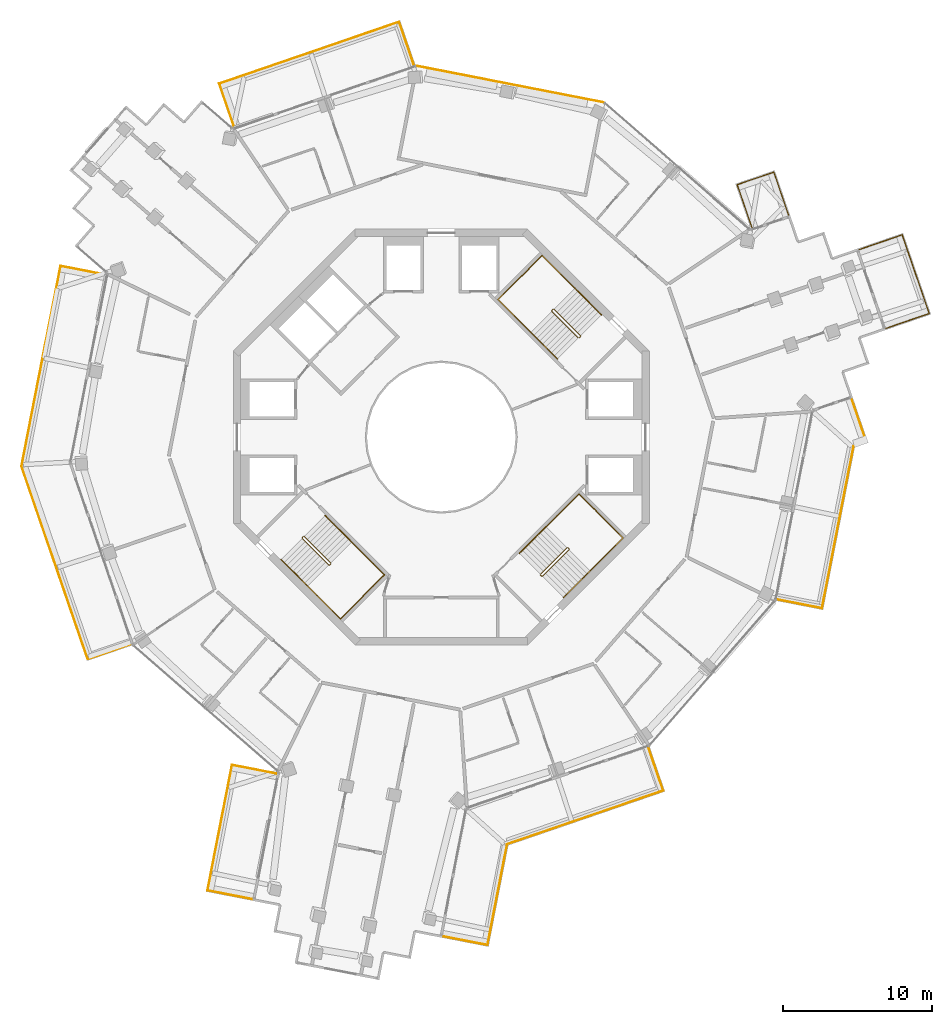
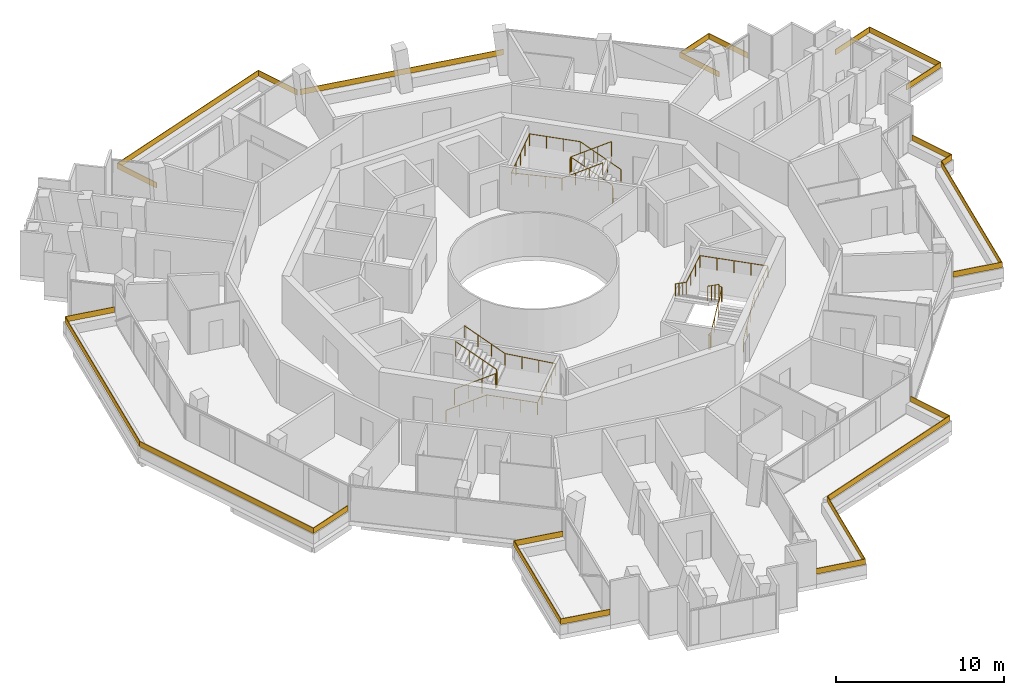
# One storey, part 22 of 22: 14 railings.
"""IFC4 building model written with IfcOpenShell, lengths in metres."""

from ifc_helpers import new_model, si_unit, direction, frame, origin, origin_2d, place, context, subcontext, project, spatial, polyline, rectangle, circle, outline, extrude, material, layer, layer_set, type_object, element, save


model = new_model("IFC4")

# Units and contexts
model_context = context("Model", 3, precision=1e-05, world=origin(), true_north=direction((0.0, 1.0)))
body_context = subcontext(model_context, "Body", "Model", "MODEL_VIEW")
ifc_project = project(units=[si_unit("LENGTHUNIT", "METRE"), si_unit("AREAUNIT", "SQUARE_METRE"), si_unit("VOLUMEUNIT", "CUBIC_METRE"), si_unit("PLANEANGLEUNIT", "RADIAN"), si_unit("MASSUNIT", "GRAM", prefix="KILO")], contexts=[model_context])

# Site, building, storey
site_placement = place(None, origin())
site = spatial("IfcSite", under=ifc_project, at=site_placement, CompositionType="ELEMENT")
building_placement = place(site_placement, origin())
building = spatial("IfcBuilding", under=site, at=building_placement, Name="Verdalira Terraces Hotel", CompositionType="ELEMENT")
storey_placement = place(building_placement, frame((0.0, 0.0, 234.0)))
storey = spatial("IfcBuildingStorey", under=building, at=storey_placement, Name="L57", CompositionType="ELEMENT", Elevation=234.0)

# Railings
ifc_material_1 = material(Name="Laminated glass", Category="glass")
ifc_layer = layer(ifc_material_1, 0.0400390625)
ifc_layer_set = layer_set([ifc_layer], Name="Balcony glass guard 400")
railing_type_1 = type_object("IfcRailingType", Name="Balcony glass guard 400", PredefinedType="GUARDRAIL", material=ifc_layer_set)
railing_1_placement = place(storey_placement, frame((0.0, 0.0, 0.699951)))
element("IfcRailing", 1, at=railing_1_placement, inside=storey, type_object=railing_type_1, Name="Balcony glass guard", PredefinedType="GUARDRAIL", context=body_context, shape_type="SweptSolid", body=[
    extrude(outline(polyline([(-25.610596, 11.49707), (-28.235107, -1.95459), (-23.782227, -14.91626), (-20.870361, -13.916016), (-20.857178, -13.953857), (-23.807129, -14.967041), (-28.276367, -1.95752), (-25.642334, 11.543945), (-22.581055, 10.946777), (-22.588623, 10.907471), (-25.610596, 11.49707)])), origin(), (0.0, 0.0, 1.0), 0.400146),
])
railing_2_placement = place(storey_placement, frame((0.0, 0.0, 0.699951)))
element("IfcRailing", 2, at=railing_2_placement, inside=storey, type_object=railing_type_1, Name="Balcony glass guard", PredefinedType="GUARDRAIL", context=body_context, shape_type="SweptSolid", body=[
    extrude(outline(polyline([(-14.071045, -22.092773), (-15.711426, -30.500732), (-12.689453, -31.090332), (-12.697021, -31.129639), (-15.758301, -30.532227), (-14.102539, -22.045654), (-11.04126, -22.643066), (-11.049072, -22.682373), (-14.071045, -22.092773)])), origin(), (0.0, 0.0, 1.0), 0.400146),
])
railing_3_placement = place(storey_placement, frame((0.0, 0.0, 0.699951)))
element("IfcRailing", 3, at=railing_3_placement, inside=storey, type_object=railing_type_1, Name="Balcony glass guard", PredefinedType="GUARDRAIL", context=body_context, shape_type="SweptSolid", body=[
    extrude(outline(polyline([(3.093994, -34.169678), (4.416748, -27.38916), (14.91626, -23.782227), (13.916016, -20.870361), (13.953857, -20.857178), (14.967041, -23.807129), (4.45166, -27.419678), (3.125488, -34.216553), (0.064209, -33.619385), (0.072021, -33.580078), (3.093994, -34.169678)])), origin(), (0.0, 0.0, 1.0), 0.400146),
])
railing_4_placement = place(storey_placement, frame((0.0, 0.0, 0.699951)))
element("IfcRailing", 4, at=railing_4_placement, inside=storey, type_object=railing_type_1, Name="Balcony glass guard", PredefinedType="GUARDRAIL", context=body_context, shape_type="SweptSolid", body=[
    extrude(outline(polyline([(25.610596, -11.49707), (27.736572, -0.60083), (28.595703, -0.305664), (27.595215, 2.606201), (27.633057, 2.619385), (28.646484, -0.330566), (27.771484, -0.631104), (25.642334, -11.543945), (22.581055, -10.946777), (22.588623, -10.907471), (25.610596, -11.49707)])), origin(), (0.0, 0.0, 1.0), 0.400146),
])
railing_5_placement = place(storey_placement, frame((0.0, 0.0, 0.699951)))
element("IfcRailing", 5, at=railing_5_placement, inside=storey, type_object=railing_type_1, Name="Balcony glass guard", PredefinedType="GUARDRAIL", context=body_context, shape_type="SweptSolid", body=[
    extrude(outline(polyline([(32.817383, 8.334717), (31.010742, 13.593262), (28.098877, 12.592773), (28.085938, 12.630615), (31.035645, 13.644043), (32.868164, 8.310059), (29.918457, 7.296631), (29.905273, 7.334473), (32.817383, 8.334717)])), origin(), (0.0, 0.0, 1.0), 0.400146),
])
railing_6_placement = place(storey_placement, frame((0.0, 0.0, 0.699951)))
element("IfcRailing", 6, at=railing_6_placement, inside=storey, type_object=railing_type_1, Name="Balcony glass guard", PredefinedType="GUARDRAIL", context=body_context, shape_type="SweptSolid", body=[
    extrude(outline(polyline([(22.370361, 17.814941), (19.943115, 16.980957), (20.943359, 14.069092), (20.905762, 14.055908), (19.892334, 17.005859), (22.395264, 17.865723), (23.408691, 14.915771), (23.37085, 14.902832), (22.370361, 17.814941)])), origin(), (0.0, 0.0, 1.0), 0.400146),
])
railing_7_placement = place(storey_placement, frame((0.0, 0.0, 0.699951)))
element("IfcRailing", 7, at=railing_7_placement, inside=storey, type_object=railing_type_1, Name="Balcony glass guard", PredefinedType="GUARDRAIL", context=body_context, shape_type="SweptSolid", body=[
    extrude(outline(polyline([(-2.848633, 27.927979), (-14.91626, 23.782227), (-13.916016, 20.870361), (-13.953857, 20.857178), (-14.967041, 23.807129), (-2.82373, 27.97876), (-1.810303, 25.029053), (-1.848145, 25.016113), (-2.848633, 27.927979)])), origin(), (0.0, 0.0, 1.0), 0.400146),
])
railing_8_placement = place(storey_placement, frame((4.635742, 23.760254, 0.699951), z_axis=(0.0, 0.0, 1.0), x_axis=(-0.981493734, 0.191494254, 0.0)))
element("IfcRailing", 8, at=railing_8_placement, inside=storey, type_object=railing_type_1, Name="Loggia glass guard", PredefinedType="GUARDRAIL", context=body_context, shape_type="SweptSolid", body=[
    extrude(rectangle(XDim=12.840088, YDim=0.040039, at=origin_2d()), origin(), (0.0, 0.0, 1.0), 0.399902),
])
ifc_material_2 = material(Name="Stainless steel", Category="steel")
railing_type_2 = type_object("IfcRailingType", Name="Stair guard 1100", PredefinedType="GUARDRAIL", material=ifc_material_2)
railing_9_placement = place(storey_placement, frame((9.369141, 6.75293, 0.0)))
element("IfcRailing", 9, at=railing_9_placement, inside=storey, type_object=railing_type_2, Name="L57 ST1 stair guard 1", PredefinedType="GUARDRAIL", context=body_context, shape_type="SweptSolid", body=[
    extrude(circle(Radius=0.023926, at=origin_2d()), frame((0.0, 0.0, 1.076172), z_axis=(-0.707106781, -0.707106781, 0.0), x_axis=(0.707106781, -0.707106781, 0.0)), (0.0, 0.0, 1.0), 0.100098),
    extrude(circle(Radius=0.023926, at=origin_2d()), frame((-0.070801, -0.070801, 1.076172), z_axis=(0.300162975, 0.599290904, 0.742127078), x_axis=(-0.894118129, 0.447831187, 0.0)), (0.0, 0.0, 1.0), 0.23584),
    extrude(circle(Radius=0.023926, at=origin_2d()), frame((0.0, 0.070557, 1.250977), z_axis=(-0.599637504, 0.599637504, 0.52997144), x_axis=(-0.707106781, -0.707106781, 0.0)), (0.0, 0.0, 1.0), 2.97168),
    extrude(circle(Radius=0.023926, at=origin_2d()), frame((-1.781982, 1.852539, 2.826172), z_axis=(-1.0, 0.0, 0.0), x_axis=(0.0, -1.0, 0.0)), (0.0, 0.0, 1.0), 0.070557),
    extrude(circle(Radius=0.023926, at=origin_2d()), frame((-1.852539, 1.852539, 2.826172), z_axis=(-0.707106781, -0.707106781, 0.0), x_axis=(0.707106781, -0.707106781, 0.0)), (0.0, 0.0, 1.0), 0.100098),
    extrude(circle(Radius=0.023926, at=origin_2d()), frame((-1.92334, 1.781738, 2.826172), z_axis=(0.0, -0.373842709, 0.927492118), x_axis=(1.0, 0.0, 0.0)), (0.0, 0.0, 1.0), 0.188721),
    extrude(circle(Radius=0.023926, at=origin_2d()), frame((-1.92334, 1.711182, 3.000977), z_axis=(0.599637504, -0.599637504, 0.52997144), x_axis=(0.707106781, 0.707106781, 0.0)), (0.0, 0.0, 1.0), 2.97168),
    extrude(circle(Radius=0.020996, at=origin_2d()), origin(), (0.0, 0.0, 1.0), 1.052002),
    extrude(circle(Radius=0.020996, at=origin_2d()), frame((-0.070801, -0.070801, 0.0)), (0.0, 0.0, 1.0), 1.052002),
    extrude(circle(Radius=0.020996, at=origin_2d()), frame((0.0, 0.070557, 0.175049)), (0.0, 0.0, 1.0), 1.052002),
    extrude(circle(Radius=0.020996, at=origin_2d()), frame((-0.593994, 0.664551, 0.699951)), (0.0, 0.0, 1.0), 1.052002),
    extrude(circle(Radius=0.020996, at=origin_2d()), frame((-1.187988, 1.258545, 1.225098)), (0.0, 0.0, 1.0), 1.052002),
    extrude(circle(Radius=0.020996, at=origin_2d()), frame((-1.781982, 1.852539, 1.75)), (0.0, 0.0, 1.0), 1.052002),
    extrude(circle(Radius=0.020996, at=origin_2d()), frame((-1.852539, 1.852539, 1.75)), (0.0, 0.0, 1.0), 1.052002),
    extrude(circle(Radius=0.020996, at=origin_2d()), frame((-1.92334, 1.781738, 1.75)), (0.0, 0.0, 1.0), 1.052002),
    extrude(circle(Radius=0.020996, at=origin_2d()), frame((-1.92334, 1.711182, 1.925049)), (0.0, 0.0, 1.0), 1.052002),
    extrude(circle(Radius=0.020996, at=origin_2d()), frame((-1.329346, 1.117188, 2.449951)), (0.0, 0.0, 1.0), 1.052002),
    extrude(circle(Radius=0.020996, at=origin_2d()), frame((-0.735352, 0.523193, 2.975098)), (0.0, 0.0, 1.0), 1.052002),
    extrude(circle(Radius=0.020996, at=origin_2d()), frame((-0.141357, -0.070801, 3.5)), (0.0, 0.0, 1.0), 1.052002),
])
railing_10_placement = place(storey_placement, frame((-9.369141, -6.75293, 0.0)))
element("IfcRailing", 10, at=railing_10_placement, inside=storey, type_object=railing_type_2, Name="L57 ST2 stair guard 1", PredefinedType="GUARDRAIL", context=body_context, shape_type="SweptSolid", body=[
    extrude(circle(Radius=0.023926, at=origin_2d()), frame((0.0, 0.0, 1.076172), z_axis=(0.707106781, 0.707106781, 0.0), x_axis=(-0.707106781, 0.707106781, 0.0)), (0.0, 0.0, 1.0), 0.100098),
    extrude(circle(Radius=0.023926, at=origin_2d()), frame((0.070801, 0.070801, 1.076172), z_axis=(-0.300162975, -0.599290904, 0.742127078), x_axis=(0.894118129, -0.447831187, 0.0)), (0.0, 0.0, 1.0), 0.23584),
    extrude(circle(Radius=0.023926, at=origin_2d()), frame((0.0, -0.070557, 1.250977), z_axis=(0.599637504, -0.599637504, 0.52997144), x_axis=(0.707106781, 0.707106781, 0.0)), (0.0, 0.0, 1.0), 2.97168),
    extrude(circle(Radius=0.023926, at=origin_2d()), frame((1.781982, -1.852539, 2.826172), z_axis=(1.0, 0.0, 0.0), x_axis=(0.0, 1.0, 0.0)), (0.0, 0.0, 1.0), 0.070557),
    extrude(circle(Radius=0.023926, at=origin_2d()), frame((1.852539, -1.852539, 2.826172), z_axis=(0.707106781, 0.707106781, 0.0), x_axis=(-0.707106781, 0.707106781, 0.0)), (0.0, 0.0, 1.0), 0.100098),
    extrude(circle(Radius=0.023926, at=origin_2d()), frame((1.92334, -1.781738, 2.826172), z_axis=(0.0, 0.373842709, 0.927492118), x_axis=(-1.0, 0.0, 0.0)), (0.0, 0.0, 1.0), 0.188721),
    extrude(circle(Radius=0.023926, at=origin_2d()), frame((1.92334, -1.711182, 3.000977), z_axis=(-0.599637504, 0.599637504, 0.52997144), x_axis=(-0.707106781, -0.707106781, 0.0)), (0.0, 0.0, 1.0), 2.97168),
    extrude(circle(Radius=0.020996, at=origin_2d()), origin(), (0.0, 0.0, 1.0), 1.052002),
    extrude(circle(Radius=0.020996, at=origin_2d()), frame((0.070801, 0.070801, 0.0)), (0.0, 0.0, 1.0), 1.052002),
    extrude(circle(Radius=0.020996, at=origin_2d()), frame((0.0, -0.070557, 0.175049)), (0.0, 0.0, 1.0), 1.052002),
    extrude(circle(Radius=0.020996, at=origin_2d()), frame((0.593994, -0.664551, 0.699951)), (0.0, 0.0, 1.0), 1.052002),
    extrude(circle(Radius=0.020996, at=origin_2d()), frame((1.187988, -1.258545, 1.225098)), (0.0, 0.0, 1.0), 1.052002),
    extrude(circle(Radius=0.020996, at=origin_2d()), frame((1.781982, -1.852539, 1.75)), (0.0, 0.0, 1.0), 1.052002),
    extrude(circle(Radius=0.020996, at=origin_2d()), frame((1.852539, -1.852539, 1.75)), (0.0, 0.0, 1.0), 1.052002),
    extrude(circle(Radius=0.020996, at=origin_2d()), frame((1.92334, -1.781738, 1.75)), (0.0, 0.0, 1.0), 1.052002),
    extrude(circle(Radius=0.020996, at=origin_2d()), frame((1.92334, -1.711182, 1.925049)), (0.0, 0.0, 1.0), 1.052002),
    extrude(circle(Radius=0.020996, at=origin_2d()), frame((1.329346, -1.117188, 2.449951)), (0.0, 0.0, 1.0), 1.052002),
    extrude(circle(Radius=0.020996, at=origin_2d()), frame((0.735352, -0.523193, 2.975098)), (0.0, 0.0, 1.0), 1.052002),
    extrude(circle(Radius=0.020996, at=origin_2d()), frame((0.141357, 0.070801, 3.5)), (0.0, 0.0, 1.0), 1.052002),
])
railing_11_placement = place(storey_placement, frame((6.75293, -9.369141, 0.0)))
element("IfcRailing", 11, at=railing_11_placement, inside=storey, type_object=railing_type_2, Name="L57 ST3 stair guard 1", PredefinedType="GUARDRAIL", context=body_context, shape_type="SweptSolid", body=[
    extrude(circle(Radius=0.023926, at=origin_2d()), frame((0.0, 0.0, 1.076172), z_axis=(-0.707106781, 0.707106781, 0.0), x_axis=(-0.707106781, -0.707106781, 0.0)), (0.0, 0.0, 1.0), 0.100098),
    extrude(circle(Radius=0.023926, at=origin_2d()), frame((-0.070801, 0.070801, 1.076172), z_axis=(0.599290904, -0.300162975, 0.742127078), x_axis=(0.447831187, 0.894118129, 0.0)), (0.0, 0.0, 1.0), 0.23584),
    extrude(circle(Radius=0.023926, at=origin_2d()), frame((0.070557, 0.0, 1.250977), z_axis=(0.599637504, 0.599637504, 0.52997144), x_axis=(-0.707106781, 0.707106781, 0.0)), (0.0, 0.0, 1.0), 2.97168),
    extrude(circle(Radius=0.023926, at=origin_2d()), frame((1.852539, 1.781982, 2.826172), z_axis=(0.0, 1.0, 0.0), x_axis=(-1.0, 0.0, 0.0)), (0.0, 0.0, 1.0), 0.070557),
    extrude(circle(Radius=0.023926, at=origin_2d()), frame((1.852539, 1.852539, 2.826172), z_axis=(-0.707106781, 0.707106781, 0.0), x_axis=(-0.707106781, -0.707106781, 0.0)), (0.0, 0.0, 1.0), 0.100098),
    extrude(circle(Radius=0.023926, at=origin_2d()), frame((1.781738, 1.92334, 2.826172), z_axis=(-0.373842709, 0.0, 0.927492118), x_axis=(0.0, -1.0, 0.0)), (0.0, 0.0, 1.0), 0.188721),
    extrude(circle(Radius=0.023926, at=origin_2d()), frame((1.711182, 1.92334, 3.000977), z_axis=(-0.599637504, -0.599637504, 0.52997144), x_axis=(0.707106781, -0.707106781, 0.0)), (0.0, 0.0, 1.0), 2.97168),
    extrude(circle(Radius=0.020996, at=origin_2d()), origin(), (0.0, 0.0, 1.0), 1.052002),
    extrude(circle(Radius=0.020996, at=origin_2d()), frame((-0.070801, 0.070801, 0.0)), (0.0, 0.0, 1.0), 1.052002),
    extrude(circle(Radius=0.020996, at=origin_2d()), frame((0.070557, 0.0, 0.175049)), (0.0, 0.0, 1.0), 1.052002),
    extrude(circle(Radius=0.020996, at=origin_2d()), frame((0.664551, 0.593994, 0.699951)), (0.0, 0.0, 1.0), 1.052002),
    extrude(circle(Radius=0.020996, at=origin_2d()), frame((1.258545, 1.187988, 1.225098)), (0.0, 0.0, 1.0), 1.052002),
    extrude(circle(Radius=0.020996, at=origin_2d()), frame((1.852539, 1.781982, 1.75)), (0.0, 0.0, 1.0), 1.052002),
    extrude(circle(Radius=0.020996, at=origin_2d()), frame((1.852539, 1.852539, 1.75)), (0.0, 0.0, 1.0), 1.052002),
    extrude(circle(Radius=0.020996, at=origin_2d()), frame((1.781738, 1.92334, 1.75)), (0.0, 0.0, 1.0), 1.052002),
    extrude(circle(Radius=0.020996, at=origin_2d()), frame((1.711182, 1.92334, 1.925049)), (0.0, 0.0, 1.0), 1.052002),
    extrude(circle(Radius=0.020996, at=origin_2d()), frame((1.117188, 1.329346, 2.449951)), (0.0, 0.0, 1.0), 1.052002),
    extrude(circle(Radius=0.020996, at=origin_2d()), frame((0.523193, 0.735352, 2.975098)), (0.0, 0.0, 1.0), 1.052002),
    extrude(circle(Radius=0.020996, at=origin_2d()), frame((-0.070801, 0.141357, 3.5)), (0.0, 0.0, 1.0), 1.052002),
])
ifc_material_3 = material(Name="Stainless steel", Category="steel")
railing_type_3 = type_object("IfcRailingType", Name="Stair handrail 900", PredefinedType="HANDRAIL", material=ifc_material_3)
railing_12_placement = place(storey_placement, frame((10.783447, 8.237793, 0.175049)))
element("IfcRailing", 12, at=railing_12_placement, inside=storey, type_object=railing_type_3, Name="L57 ST1 stair handrail 1", PredefinedType="HANDRAIL", context=body_context, shape_type="SweptSolid", body=[
    extrude(circle(Radius=0.023926, at=origin_2d()), frame((0.0, 0.0, 0.875977), z_axis=(-0.599637504, 0.599637504, 0.52997144), x_axis=(-0.707106781, -0.707106781, 0.0)), (0.0, 0.0, 1.0), 2.97168),
    extrude(circle(Radius=0.023926, at=origin_2d()), frame((-1.781982, 1.781982, 2.450684), z_axis=(-0.707106781, 0.707106781, 0.0), x_axis=(-0.707106781, -0.707106781, 0.0)), (0.0, 0.0, 1.0), 3.129883),
    extrude(circle(Radius=0.023926, at=origin_2d()), frame((-3.995117, 3.995117, 2.450684), z_axis=(-0.707135845, -0.707077716, 0.0), x_axis=(0.707077716, -0.707135845, 0.0)), (0.0, 0.0, 1.0), 4.199951),
    extrude(circle(Radius=0.023926, at=origin_2d()), frame((-6.965088, 1.025391, 2.450684), z_axis=(0.706003682, -0.706003682, 0.0558355), x_axis=(0.707106781, 0.707106781, 0.0)), (0.0, 0.0, 1.0), 3.13501),
    extrude(circle(Radius=0.023926, at=origin_2d()), frame((-4.751709, -1.187988, 2.625977), z_axis=(0.599614426, -0.599614426, 0.530023659), x_axis=(0.707106781, 0.707106781, 0.0)), (0.0, 0.0, 1.0), 2.971436),
    extrude(circle(Radius=0.020996, at=origin_2d()), origin(), (0.0, 0.0, 1.0), 0.851807),
    extrude(circle(Radius=0.020996, at=origin_2d()), frame((-0.593994, 0.593994, 0.524902)), (0.0, 0.0, 1.0), 0.851807),
    extrude(circle(Radius=0.020996, at=origin_2d()), frame((-1.187988, 1.187988, 1.050049)), (0.0, 0.0, 1.0), 0.851807),
    extrude(circle(Radius=0.020996, at=origin_2d()), frame((-1.781982, 1.781982, 1.574951)), (0.0, 0.0, 1.0), 0.851807),
    extrude(circle(Radius=0.020996, at=origin_2d()), frame((-2.519775, 2.519775, 1.574951)), (0.0, 0.0, 1.0), 0.851807),
    extrude(circle(Radius=0.020996, at=origin_2d()), frame((-3.257324, 3.257324, 1.574951)), (0.0, 0.0, 1.0), 0.851807),
    extrude(circle(Radius=0.020996, at=origin_2d()), frame((-3.995117, 3.995117, 1.574951)), (0.0, 0.0, 1.0), 0.851807),
    extrude(circle(Radius=0.020996, at=origin_2d()), frame((-4.737549, 3.252686, 1.574951)), (0.0, 0.0, 1.0), 0.851807),
    extrude(circle(Radius=0.020996, at=origin_2d()), frame((-5.47998, 2.510254, 1.574951)), (0.0, 0.0, 1.0), 0.851807),
    extrude(circle(Radius=0.020996, at=origin_2d()), frame((-6.222656, 1.767822, 1.574951)), (0.0, 0.0, 1.0), 0.851807),
    extrude(circle(Radius=0.020996, at=origin_2d()), frame((-6.965088, 1.025391, 1.574951)), (0.0, 0.0, 1.0), 0.851807),
    extrude(circle(Radius=0.020996, at=origin_2d()), frame((-6.227295, 0.287598, 1.633301)), (0.0, 0.0, 1.0), 0.851807),
    extrude(circle(Radius=0.020996, at=origin_2d()), frame((-5.489502, -0.450195, 1.69165)), (0.0, 0.0, 1.0), 0.851807),
    extrude(circle(Radius=0.020996, at=origin_2d()), frame((-4.751709, -1.187988, 1.75)), (0.0, 0.0, 1.0), 0.851807),
    extrude(circle(Radius=0.020996, at=origin_2d()), frame((-4.157715, -1.781982, 2.274902)), (0.0, 0.0, 1.0), 0.851807),
    extrude(circle(Radius=0.020996, at=origin_2d()), frame((-3.563965, -2.375732, 2.800049)), (0.0, 0.0, 1.0), 0.851807),
    extrude(circle(Radius=0.020996, at=origin_2d()), frame((-2.969971, -2.969727, 3.324951)), (0.0, 0.0, 1.0), 0.851807),
])
railing_13_placement = place(storey_placement, frame((-10.783447, -8.237793, 0.175049)))
element("IfcRailing", 13, at=railing_13_placement, inside=storey, type_object=railing_type_3, Name="L57 ST2 stair handrail 1", PredefinedType="HANDRAIL", context=body_context, shape_type="SweptSolid", body=[
    extrude(circle(Radius=0.023926, at=origin_2d()), frame((0.0, 0.0, 0.875977), z_axis=(0.599637504, -0.599637504, 0.52997144), x_axis=(0.707106781, 0.707106781, 0.0)), (0.0, 0.0, 1.0), 2.97168),
    extrude(circle(Radius=0.023926, at=origin_2d()), frame((1.781982, -1.781982, 2.450684), z_axis=(0.707106781, -0.707106781, 0.0), x_axis=(0.707106781, 0.707106781, 0.0)), (0.0, 0.0, 1.0), 3.129883),
    extrude(circle(Radius=0.023926, at=origin_2d()), frame((3.995117, -3.995117, 2.450684), z_axis=(0.707135845, 0.707077716, 0.0), x_axis=(-0.707077716, 0.707135845, 0.0)), (0.0, 0.0, 1.0), 4.199951),
    extrude(circle(Radius=0.023926, at=origin_2d()), frame((6.965088, -1.025391, 2.450684), z_axis=(-0.706003682, 0.706003682, 0.0558355), x_axis=(-0.707106781, -0.707106781, 0.0)), (0.0, 0.0, 1.0), 3.13501),
    extrude(circle(Radius=0.023926, at=origin_2d()), frame((4.751709, 1.187988, 2.625977), z_axis=(-0.599614426, 0.599614426, 0.530023659), x_axis=(-0.707106781, -0.707106781, 0.0)), (0.0, 0.0, 1.0), 2.971436),
    extrude(circle(Radius=0.020996, at=origin_2d()), origin(), (0.0, 0.0, 1.0), 0.851807),
    extrude(circle(Radius=0.020996, at=origin_2d()), frame((0.593994, -0.593994, 0.524902)), (0.0, 0.0, 1.0), 0.851807),
    extrude(circle(Radius=0.020996, at=origin_2d()), frame((1.187988, -1.187988, 1.050049)), (0.0, 0.0, 1.0), 0.851807),
    extrude(circle(Radius=0.020996, at=origin_2d()), frame((1.781982, -1.781982, 1.574951)), (0.0, 0.0, 1.0), 0.851807),
    extrude(circle(Radius=0.020996, at=origin_2d()), frame((2.519775, -2.519775, 1.574951)), (0.0, 0.0, 1.0), 0.851807),
    extrude(circle(Radius=0.020996, at=origin_2d()), frame((3.257324, -3.257324, 1.574951)), (0.0, 0.0, 1.0), 0.851807),
    extrude(circle(Radius=0.020996, at=origin_2d()), frame((3.995117, -3.995117, 1.574951)), (0.0, 0.0, 1.0), 0.851807),
    extrude(circle(Radius=0.020996, at=origin_2d()), frame((4.737549, -3.252686, 1.574951)), (0.0, 0.0, 1.0), 0.851807),
    extrude(circle(Radius=0.020996, at=origin_2d()), frame((5.47998, -2.510254, 1.574951)), (0.0, 0.0, 1.0), 0.851807),
    extrude(circle(Radius=0.020996, at=origin_2d()), frame((6.222656, -1.767822, 1.574951)), (0.0, 0.0, 1.0), 0.851807),
    extrude(circle(Radius=0.020996, at=origin_2d()), frame((6.965088, -1.025391, 1.574951)), (0.0, 0.0, 1.0), 0.851807),
    extrude(circle(Radius=0.020996, at=origin_2d()), frame((6.227295, -0.287598, 1.633301)), (0.0, 0.0, 1.0), 0.851807),
    extrude(circle(Radius=0.020996, at=origin_2d()), frame((5.489502, 0.450195, 1.69165)), (0.0, 0.0, 1.0), 0.851807),
    extrude(circle(Radius=0.020996, at=origin_2d()), frame((4.751709, 1.187988, 1.75)), (0.0, 0.0, 1.0), 0.851807),
    extrude(circle(Radius=0.020996, at=origin_2d()), frame((4.157715, 1.781982, 2.274902)), (0.0, 0.0, 1.0), 0.851807),
    extrude(circle(Radius=0.020996, at=origin_2d()), frame((3.563965, 2.375732, 2.800049)), (0.0, 0.0, 1.0), 0.851807),
    extrude(circle(Radius=0.020996, at=origin_2d()), frame((2.969971, 2.969727, 3.324951)), (0.0, 0.0, 1.0), 0.851807),
])
railing_14_placement = place(storey_placement, frame((8.237793, -10.783447, 0.175049)))
element("IfcRailing", 14, at=railing_14_placement, inside=storey, type_object=railing_type_3, Name="L57 ST3 stair handrail 1", PredefinedType="HANDRAIL", context=body_context, shape_type="SweptSolid", body=[
    extrude(circle(Radius=0.023926, at=origin_2d()), frame((0.0, 0.0, 0.875977), z_axis=(0.599637504, 0.599637504, 0.52997144), x_axis=(-0.707106781, 0.707106781, 0.0)), (0.0, 0.0, 1.0), 2.97168),
    extrude(circle(Radius=0.023926, at=origin_2d()), frame((1.781982, 1.781982, 2.450684), z_axis=(0.707106781, 0.707106781, 0.0), x_axis=(-0.707106781, 0.707106781, 0.0)), (0.0, 0.0, 1.0), 3.129883),
    extrude(circle(Radius=0.023926, at=origin_2d()), frame((3.995117, 3.995117, 2.450684), z_axis=(-0.707077716, 0.707135845, 0.0), x_axis=(-0.707135845, -0.707077716, 0.0)), (0.0, 0.0, 1.0), 4.199951),
    extrude(circle(Radius=0.023926, at=origin_2d()), frame((1.025391, 6.965088, 2.450684), z_axis=(-0.706003682, -0.706003682, 0.0558355), x_axis=(0.707106781, -0.707106781, 0.0)), (0.0, 0.0, 1.0), 3.13501),
    extrude(circle(Radius=0.023926, at=origin_2d()), frame((-1.187988, 4.751709, 2.625977), z_axis=(-0.599614426, -0.599614426, 0.530023659), x_axis=(0.707106781, -0.707106781, 0.0)), (0.0, 0.0, 1.0), 2.971436),
    extrude(circle(Radius=0.020996, at=origin_2d()), origin(), (0.0, 0.0, 1.0), 0.851807),
    extrude(circle(Radius=0.020996, at=origin_2d()), frame((0.593994, 0.593994, 0.524902)), (0.0, 0.0, 1.0), 0.851807),
    extrude(circle(Radius=0.020996, at=origin_2d()), frame((1.187988, 1.187988, 1.050049)), (0.0, 0.0, 1.0), 0.851807),
    extrude(circle(Radius=0.020996, at=origin_2d()), frame((1.781982, 1.781982, 1.574951)), (0.0, 0.0, 1.0), 0.851807),
    extrude(circle(Radius=0.020996, at=origin_2d()), frame((2.519775, 2.519775, 1.574951)), (0.0, 0.0, 1.0), 0.851807),
    extrude(circle(Radius=0.020996, at=origin_2d()), frame((3.257324, 3.257324, 1.574951)), (0.0, 0.0, 1.0), 0.851807),
    extrude(circle(Radius=0.020996, at=origin_2d()), frame((3.995117, 3.995117, 1.574951)), (0.0, 0.0, 1.0), 0.851807),
    extrude(circle(Radius=0.020996, at=origin_2d()), frame((3.252686, 4.737549, 1.574951)), (0.0, 0.0, 1.0), 0.851807),
    extrude(circle(Radius=0.020996, at=origin_2d()), frame((2.510254, 5.47998, 1.574951)), (0.0, 0.0, 1.0), 0.851807),
    extrude(circle(Radius=0.020996, at=origin_2d()), frame((1.767822, 6.222656, 1.574951)), (0.0, 0.0, 1.0), 0.851807),
    extrude(circle(Radius=0.020996, at=origin_2d()), frame((1.025391, 6.965088, 1.574951)), (0.0, 0.0, 1.0), 0.851807),
    extrude(circle(Radius=0.020996, at=origin_2d()), frame((0.287598, 6.227295, 1.633301)), (0.0, 0.0, 1.0), 0.851807),
    extrude(circle(Radius=0.020996, at=origin_2d()), frame((-0.450195, 5.489502, 1.69165)), (0.0, 0.0, 1.0), 0.851807),
    extrude(circle(Radius=0.020996, at=origin_2d()), frame((-1.187988, 4.751709, 1.75)), (0.0, 0.0, 1.0), 0.851807),
    extrude(circle(Radius=0.020996, at=origin_2d()), frame((-1.781982, 4.157715, 2.274902)), (0.0, 0.0, 1.0), 0.851807),
    extrude(circle(Radius=0.020996, at=origin_2d()), frame((-2.375732, 3.563965, 2.800049)), (0.0, 0.0, 1.0), 0.851807),
    extrude(circle(Radius=0.020996, at=origin_2d()), frame((-2.969727, 2.969971, 3.324951)), (0.0, 0.0, 1.0), 0.851807),
])

save(model, "model.ifc")
